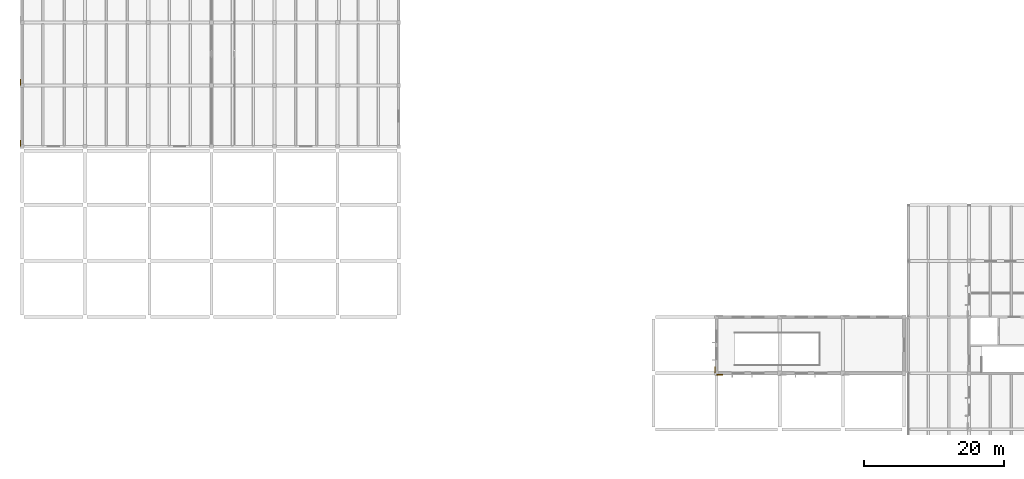
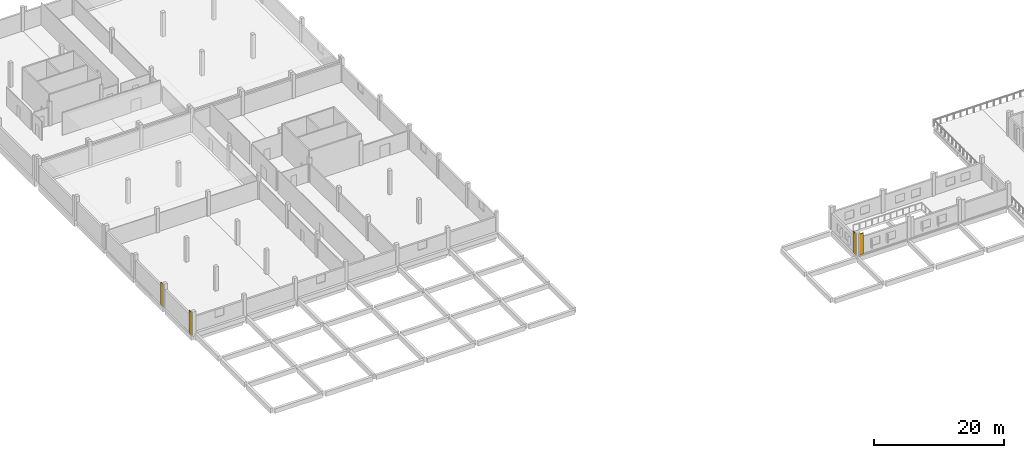
# One storey, part 18 of 25: 4 coverings.
"""IFC4 building model written with IfcOpenShell, lengths in metres."""

from ifc_helpers import new_model, si_unit, direction, frame, origin, origin_2d, place, context, subcontext, project, spatial, rectangle, extrude, material, layer, layer_set, type_object, element, save


model = new_model("IFC4")

# Units and contexts
model_context = context("Model", 3, precision=1e-05, world=origin(), true_north=direction((0.0, 1.0)))
body_context = subcontext(model_context, "Body", "Model", "MODEL_VIEW")
ifc_project = project(units=[si_unit("LENGTHUNIT", "METRE"), si_unit("AREAUNIT", "SQUARE_METRE"), si_unit("VOLUMEUNIT", "CUBIC_METRE"), si_unit("PLANEANGLEUNIT", "RADIAN"), si_unit("MASSUNIT", "GRAM", prefix="KILO")], contexts=[model_context])

# Site, building, storey
site_placement = place(None, origin())
site = spatial("IfcSite", under=ifc_project, at=site_placement, CompositionType="ELEMENT")
building_placement = place(site_placement, origin())
building = spatial("IfcBuilding", under=site, at=building_placement, Name="Zacnel Wholesale Market", CompositionType="ELEMENT")
storey_placement = place(building_placement, frame((0.0, 0.0, 15.75)))
storey = spatial("IfcBuildingStorey", under=building, at=storey_placement, Name="L04", CompositionType="ELEMENT", Elevation=15.75)

# Coverings
ifc_material = material(Name="Honed Yucatan Maya cream limestone", Category="masonry")
ifc_layer = layer(ifc_material, 0.090087890625)
ifc_layer_set = layer_set([ifc_layer], Name="Honed Yucatan Maya cream limestone")
covering_type = type_object("IfcCoveringType", Name="COV-CLAD-FRET", PredefinedType="CLADDING", material=ifc_layer_set)
for number, where, z_axis, x_axis, name in (
    (1, (17.7900390625, 48.780029296875, 0.02001953125), (0.0, 0.0, 1.0), (0.0, 1.0, 0.0), "Fluted Mayan-Deco limestone pilaster L04-0238"),
    (2, (17.7900390625, 57.47998046875, 0.02001953125), (0.0, 0.0, 1.0), (0.0, 1.0, 0.0), "Fluted Mayan-Deco limestone pilaster L04-0239"),
):
    element("IfcCovering", number, at=place(storey_placement, frame(where, z_axis=z_axis, x_axis=x_axis)), inside=storey, type_object=covering_type, Name=name, PredefinedType="CLADDING", context=body_context, shape_type="SweptSolid", body=[
        extrude(rectangle(XDim=0.85009765625, YDim=0.1201171875, at=origin_2d()), origin(), (0.0, 0.0, 1.0), 4.18994140625),
    ])
for number, where, z_axis, x_axis, name in (
    (3, (117.47998046875, 15.7900390625, 0.02001953125), (0.0, 0.0, 1.0), (1.0, 0.0, 0.0), "Fluted Mayan-Deco limestone pilaster L04-0252"),
    (4, (116.7900390625, 16.47998046875, 0.02001953125), (0.0, 0.0, 1.0), (0.0, 1.0, 0.0), "Fluted Mayan-Deco limestone pilaster L04-0258"),
):
    element("IfcCovering", number, at=place(storey_placement, frame(where, z_axis=z_axis, x_axis=x_axis)), inside=storey, type_object=covering_type, Name=name, PredefinedType="CLADDING", context=body_context, shape_type="SweptSolid", body=[
        extrude(rectangle(XDim=0.85009765625, YDim=0.1201171875, at=origin_2d()), origin(), (0.0, 0.0, 1.0), 3.909912109375),
    ])

save(model, "model.ifc")
